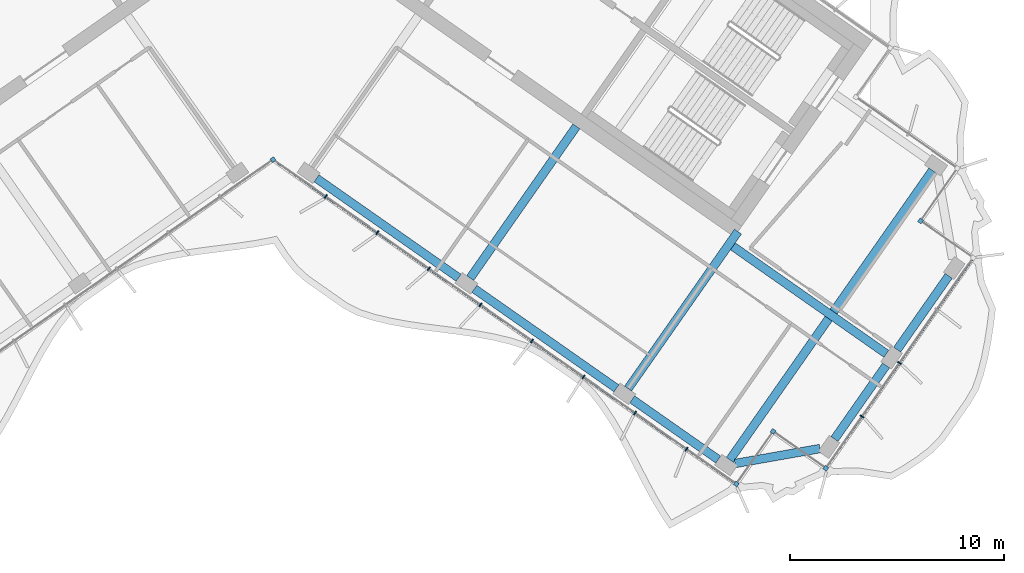
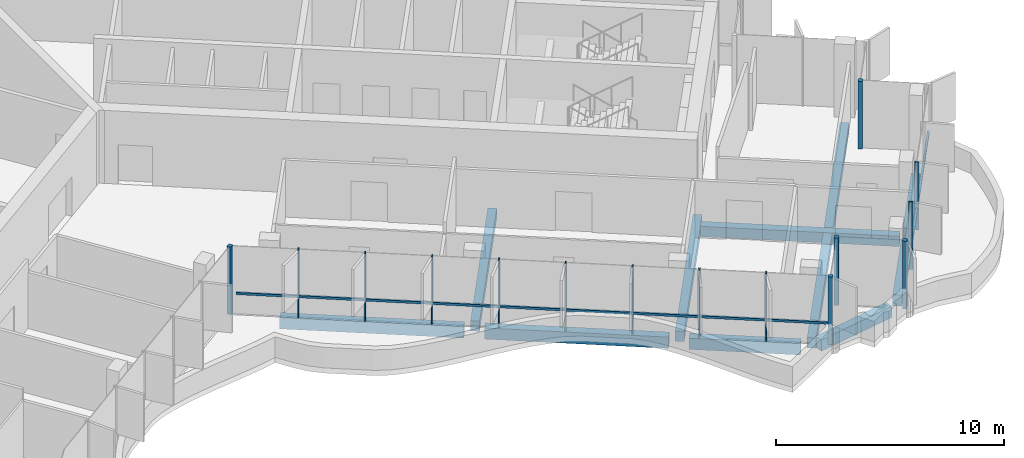
# One storey, part 4 of 20: 17 members, 10 beams, 1 element without a shape of its own.
"""IFC4 building model written with IfcOpenShell, lengths in metres."""

from ifc_helpers import new_model, si_unit, direction, frame, origin, origin_2d, place, context, subcontext, project, spatial, rectangle, extrude, material, material_profile, profile_set, type_object, element, aggregate, save


model = new_model("IFC4")

# Units and contexts
model_context = context("Model", 3, precision=1e-05, world=origin(), true_north=direction((0.0, 1.0)))
body_context = subcontext(model_context, "Body", "Model", "MODEL_VIEW")
ifc_project = project(units=[si_unit("LENGTHUNIT", "METRE"), si_unit("AREAUNIT", "SQUARE_METRE"), si_unit("VOLUMEUNIT", "CUBIC_METRE"), si_unit("PLANEANGLEUNIT", "RADIAN"), si_unit("MASSUNIT", "GRAM", prefix="KILO")], contexts=[model_context])

# Site, building, storey
site_placement = place(None, origin())
site = spatial("IfcSite", under=ifc_project, at=site_placement, CompositionType="ELEMENT")
building_placement = place(site_placement, origin())
building = spatial("IfcBuilding", under=site, at=building_placement, Name="Tel Ilan Convention Tower", CompositionType="ELEMENT")
storey_placement = place(building_placement, frame((0.0, 0.0, 233.199951171875)))
storey = spatial("IfcBuildingStorey", under=building, at=storey_placement, Name="L54", CompositionType="ELEMENT", Elevation=233.199951171875)

# Beams
ifc_material_1 = material(Name="Concrete C40/50", Category="concrete")
ifc_material_profile_1 = material_profile(ifc_material_1, rectangle(XDim=0.39990234375, YDim=0.550048828125, at=origin_2d()), Name="RC 400x550")
ifc_profile_set_1 = profile_set([ifc_material_profile_1], Name="Concrete C40/50")
beam_type_1 = type_object("IfcBeamType", Name="Beam RC 400x550 Concrete C40/50", PredefinedType="BEAM", material=ifc_profile_set_1)
beam_1_placement = place(storey_placement, frame((9.209716796875, -18.229248046875, -0.554931640625), z_axis=(0.573574099654, 0.819153680457, 0.0), x_axis=(-0.819153680457, 0.573574099654, 0.0)))
element("IfcBeam", 1, at=beam_1_placement, inside=storey, type_object=beam_type_1, Name="L54 beam E-E-F2-core", PredefinedType="BEAM", context=body_context, shape_type="SweptSolid", body=[
    extrude(rectangle(XDim=0.39990234375, YDim=0.550048828125, at=origin_2d()), origin(), (0.0, 0.0, 1.0), 8.64990234375),
])
beam_2_placement = place(storey_placement, frame((16.58203125, -23.391357421875, -0.554931640625), z_axis=(0.573584999642, 0.819146048141, 0.0), x_axis=(-0.819146048141, 0.573584999642, 0.0)))
element("IfcBeam", 2, at=beam_2_placement, inside=storey, type_object=beam_type_1, Name="L54 beam E-E-F3-core", PredefinedType="BEAM", context=body_context, shape_type="SweptSolid", body=[
    extrude(rectangle(XDim=0.39990234375, YDim=0.550048828125, at=origin_2d()), origin(), (0.0, 0.0, 1.0), 8.949951171875),
])
beam_3_placement = place(storey_placement, frame((21.477783203125, -16.748046875, -0.554931640625), z_axis=(0.819157197737, -0.573569076395, 0.0), x_axis=(0.573569076395, 0.819157197737, 0.0)))
element("IfcBeam", 3, at=beam_3_placement, inside=storey, type_object=beam_type_1, Name="L54 beam E-core-end", PredefinedType="BEAM", context=body_context, shape_type="SweptSolid", body=[
    extrude(rectangle(XDim=0.39990234375, YDim=0.550048828125, at=origin_2d()), origin(), (0.0, 0.0, 1.0), 8.75),
])
beam_4_placement = place(storey_placement, frame((21.333251953125, -26.718017578125, -0.554931640625), z_axis=(0.573574554643, 0.819153361872, 0.0), x_axis=(-0.819153361872, 0.573574554643, 0.0)))
element("IfcBeam", 4, at=beam_4_placement, inside=storey, type_object=beam_type_1, Name="L54 beam E-E-FC-E-BC", PredefinedType="BEAM", context=body_context, shape_type="SweptSolid", body=[
    extrude(rectangle(XDim=0.39990234375, YDim=0.550048828125, at=origin_2d()), origin(), (0.0, 0.0, 1.0), 16.499755859375),
])
ifc_material_2 = material(Name="Concrete C40/50", Category="concrete")
ifc_material_profile_2 = material_profile(ifc_material_2, rectangle(XDim=0.39990234375, YDim=0.60009765625, at=origin_2d()), Name="RC 400x600")
ifc_profile_set_2 = profile_set([ifc_material_profile_2], Name="Concrete C40/50")
beam_type_2 = type_object("IfcBeamType", Name="Beam RC 400x600 Concrete C40/50", PredefinedType="BEAM", material=ifc_profile_set_2)
beam_5_placement = place(storey_placement, frame((2.033935546875, -13.57080078125, -0.579833984375), z_axis=(0.81914553362, -0.573585734437, 0.0), x_axis=(0.573585734437, 0.81914553362, 0.0)))
element("IfcBeam", 5, at=beam_5_placement, inside=storey, type_object=beam_type_2, Name="L54 beam E-E-F1-E-F2", PredefinedType="BEAM", context=body_context, shape_type="SweptSolid", body=[
    extrude(rectangle(XDim=0.39990234375, YDim=0.60009765625, at=origin_2d()), origin(), (0.0, 0.0, 1.0), 8.099853515625),
])
beam_6_placement = place(storey_placement, frame((9.40625, -18.73291015625, -0.579833984375), z_axis=(0.819155449703, -0.573571572885, 0.0), x_axis=(0.573571572885, 0.819155449703, 0.0)))
element("IfcBeam", 6, at=beam_6_placement, inside=storey, type_object=beam_type_2, Name="L54 beam E-E-F2-E-F3", PredefinedType="BEAM", context=body_context, shape_type="SweptSolid", body=[
    extrude(rectangle(XDim=0.39990234375, YDim=0.60009765625, at=origin_2d()), origin(), (0.0, 0.0, 1.0), 8.10009765625),
])
beam_7_placement = place(storey_placement, frame((16.778564453125, -23.895263671875, -0.579833984375), z_axis=(0.819154669329, -0.573572687386, 0.0), x_axis=(0.573572687386, 0.819154669329, 0.0)))
element("IfcBeam", 7, at=beam_7_placement, inside=storey, type_object=beam_type_2, Name="L54 beam E-E-F3-E-FC", PredefinedType="BEAM", context=body_context, shape_type="SweptSolid", body=[
    extrude(rectangle(XDim=0.39990234375, YDim=0.60009765625, at=origin_2d()), origin(), (0.0, 0.0, 1.0), 4.900146484375),
])
beam_8_placement = place(storey_placement, frame((21.578857421875, -26.89013671875, -0.579833984375), z_axis=(0.984804894423, 0.173664388751, 0.0), x_axis=(-0.173664388751, 0.984804894423, 0.0)))
element("IfcBeam", 8, at=beam_8_placement, inside=storey, type_object=beam_type_2, Name="L54 beam E-E-FC-E-E1", PredefinedType="BEAM", context=body_context, shape_type="SweptSolid", body=[
    extrude(rectangle(XDim=0.39990234375, YDim=0.60009765625, at=origin_2d()), origin(), (0.0, 0.0, 1.0), 4.030517578125),
])
for number, where, z_axis, x_axis, name in (
    (9, (26.22412109375, -25.748046875, -0.579833984375), (0.573563773994, 0.819160910421, 0.0), (-0.819160910421, 0.573563773994, 0.0), "L54 beam E-E-E1-E-E2"),
    (10, (29.1494140625, -21.5703125, -0.579833984375), (0.573563773994, 0.819160910421, 0.0), (-0.819160910421, 0.573563773994, 0.0), "L54 beam E-E-E2-E-E3"),
):
    element("IfcBeam", number, at=place(storey_placement, frame(where, z_axis=z_axis, x_axis=x_axis)), inside=storey, type_object=beam_type_2, Name=name, PredefinedType="BEAM", context=body_context, shape_type="SweptSolid", body=[
        extrude(rectangle(XDim=0.39990234375, YDim=0.60009765625, at=origin_2d()), origin(), (0.0, 0.0, 1.0), 4.199951171875),
    ])

# Curtain wall, members
ifc_material_3 = material(Name="Aluminium, bronze anodised", Category="aluminium")
curtain_wall_type = type_object("IfcCurtainWallType", Name="CW5 STICK CURTAIN WALL, UPPER OFFICE LOW-IRON TINTED GLASS", PredefinedType="NOTDEFINED", material=ifc_material_3)
curtain_wall_placement = place(storey_placement, origin())
curtain_wall = element("IfcCurtainWall", 11, at=curtain_wall_placement, inside=storey, type_object=curtain_wall_type, Name="Curtain wall CW5-42.02", PredefinedType="NOTDEFINED")
ifc_material_4 = material(Name="Aluminium, bronze anodised", Category="aluminium")
ifc_material_profile_3 = material_profile(ifc_material_4, rectangle(XDim=0.199951171875, YDim=0.199951171875, at=origin_2d()), Name="CW CORNER MULLION 200x200")
ifc_profile_set_3 = profile_set([ifc_material_profile_3], Name="Aluminium, bronze anodised")
member_type_1 = type_object("IfcMemberType", Name="CW CORNER MULLION 200x200", PredefinedType="MULLION", material=ifc_profile_set_3)
member_1_placement = place(storey_placement, frame((0.0, -12.696044921875, 0.0), z_axis=(0.0, 0.0, 1.0), x_axis=(0.819152044289, 0.573576436351, 0.0)))
member_1 = element("IfcMember", 12, at=member_1_placement, type_object=member_type_1, Name="Corner mullion", PredefinedType="MULLION", context=body_context, shape_type="SweptSolid", body=[
    extrude(rectangle(XDim=0.199951171875, YDim=0.199951171875, at=origin_2d()), origin(), (0.0, 0.0, 1.0), 3.6201171875),
])
member_2_placement = place(storey_placement, frame((21.64013671875, -27.8486328125, 0.0), z_axis=(0.0, 0.0, 1.0), x_axis=(0.819152044289, -0.573576436351, 0.0)))
member_2 = element("IfcMember", 13, at=member_2_placement, type_object=member_type_1, Name="Corner mullion", PredefinedType="MULLION", context=body_context, shape_type="SweptSolid", body=[
    extrude(rectangle(XDim=0.199951171875, YDim=0.199951171875, at=origin_2d()), origin(), (0.0, 0.0, 1.0), 3.6201171875),
])
member_3_placement = place(storey_placement, frame((23.36083984375, -25.391357421875, 0.0), z_axis=(0.0, 0.0, 1.0), x_axis=(0.573576436351, 0.819152044289, 0.0)))
member_3 = element("IfcMember", 14, at=member_3_placement, type_object=member_type_1, Name="Corner mullion", PredefinedType="MULLION", context=body_context, shape_type="SweptSolid", body=[
    extrude(rectangle(XDim=0.199951171875, YDim=0.199951171875, at=origin_2d()), origin(), (0.0, 0.0, 1.0), 3.6201171875),
])
member_4_placement = place(storey_placement, frame((25.818359375, -27.112060546875, 0.0), z_axis=(0.0, 0.0, 1.0), x_axis=(0.819152044289, -0.573576436351, 0.0)))
member_4 = element("IfcMember", 15, at=member_4_placement, type_object=member_type_1, Name="Corner mullion", PredefinedType="MULLION", context=body_context, shape_type="SweptSolid", body=[
    extrude(rectangle(XDim=0.199951171875, YDim=0.199951171875, at=origin_2d()), origin(), (0.0, 0.0, 1.0), 3.6201171875),
])
member_5_placement = place(storey_placement, frame((30.243896484375, -15.5615234375, 0.0), z_axis=(0.0, 0.0, 1.0), x_axis=(-0.819152044289, 0.573576436351, 0.0)))
member_5 = element("IfcMember", 16, at=member_5_placement, type_object=member_type_1, Name="Corner mullion", PredefinedType="MULLION", context=body_context, shape_type="SweptSolid", body=[
    extrude(rectangle(XDim=0.199951171875, YDim=0.199951171875, at=origin_2d()), origin(), (0.0, 0.0, 1.0), 3.6201171875),
])
ifc_material_5 = material(Name="Aluminium, bronze anodised", Category="aluminium")
ifc_material_profile_4 = material_profile(ifc_material_5, rectangle(XDim=0.06005859375, YDim=0.199951171875, at=origin_2d()), Name="CW MULLION 60x200")
ifc_profile_set_4 = profile_set([ifc_material_profile_4], Name="Aluminium, bronze anodised")
member_type_2 = type_object("IfcMemberType", Name="CW MULLION 60x200", PredefinedType="MULLION", material=ifc_profile_set_4)
member_6_placement = place(storey_placement, frame((2.464599609375, -14.421875, 0.0), z_axis=(0.0, 0.0, 1.0), x_axis=(0.819152044289, -0.573576436351, 0.0)))
member_6 = element("IfcMember", 17, at=member_6_placement, type_object=member_type_2, Name="Mullion", PredefinedType="MULLION", context=body_context, shape_type="SweptSolid", body=[
    extrude(rectangle(XDim=0.06005859375, YDim=0.199951171875, at=origin_2d()), origin(), (0.0, 0.0, 1.0), 3.6201171875),
])
member_7_placement = place(storey_placement, frame((4.871826171875, -16.107177734375, 0.0), z_axis=(0.0, 0.0, 1.0), x_axis=(0.819152044289, -0.573576436351, 0.0)))
member_7 = element("IfcMember", 18, at=member_7_placement, type_object=member_type_2, Name="Mullion", PredefinedType="MULLION", context=body_context, shape_type="SweptSolid", body=[
    extrude(rectangle(XDim=0.06005859375, YDim=0.199951171875, at=origin_2d()), origin(), (0.0, 0.0, 1.0), 3.6201171875),
])
member_8_placement = place(storey_placement, frame((7.279052734375, -17.792724609375, 0.0), z_axis=(0.0, 0.0, 1.0), x_axis=(0.819152044289, -0.573576436351, 0.0)))
member_8 = element("IfcMember", 19, at=member_8_placement, type_object=member_type_2, Name="Mullion", PredefinedType="MULLION", context=body_context, shape_type="SweptSolid", body=[
    extrude(rectangle(XDim=0.06005859375, YDim=0.199951171875, at=origin_2d()), origin(), (0.0, 0.0, 1.0), 3.6201171875),
])
member_9_placement = place(storey_placement, frame((9.68603515625, -19.478271484375, 0.0), z_axis=(0.0, 0.0, 1.0), x_axis=(0.819152044289, -0.573576436351, 0.0)))
member_9 = element("IfcMember", 20, at=member_9_placement, type_object=member_type_2, Name="Mullion", PredefinedType="MULLION", context=body_context, shape_type="SweptSolid", body=[
    extrude(rectangle(XDim=0.06005859375, YDim=0.199951171875, at=origin_2d()), origin(), (0.0, 0.0, 1.0), 3.6201171875),
])
member_10_placement = place(storey_placement, frame((12.09326171875, -21.163818359375, 0.0), z_axis=(0.0, 0.0, 1.0), x_axis=(0.819152044289, -0.573576436351, 0.0)))
member_10 = element("IfcMember", 21, at=member_10_placement, type_object=member_type_2, Name="Mullion", PredefinedType="MULLION", context=body_context, shape_type="SweptSolid", body=[
    extrude(rectangle(XDim=0.06005859375, YDim=0.199951171875, at=origin_2d()), origin(), (0.0, 0.0, 1.0), 3.6201171875),
])
member_11_placement = place(storey_placement, frame((14.50048828125, -22.849365234375, 0.0), z_axis=(0.0, 0.0, 1.0), x_axis=(0.819152044289, -0.573576436351, 0.0)))
member_11 = element("IfcMember", 22, at=member_11_placement, type_object=member_type_2, Name="Mullion", PredefinedType="MULLION", context=body_context, shape_type="SweptSolid", body=[
    extrude(rectangle(XDim=0.06005859375, YDim=0.199951171875, at=origin_2d()), origin(), (0.0, 0.0, 1.0), 3.6201171875),
])
member_12_placement = place(storey_placement, frame((16.90771484375, -24.534912109375, 0.0), z_axis=(0.0, 0.0, 1.0), x_axis=(0.819152044289, -0.573576436351, 0.0)))
member_12 = element("IfcMember", 23, at=member_12_placement, type_object=member_type_2, Name="Mullion", PredefinedType="MULLION", context=body_context, shape_type="SweptSolid", body=[
    extrude(rectangle(XDim=0.06005859375, YDim=0.199951171875, at=origin_2d()), origin(), (0.0, 0.0, 1.0), 3.6201171875),
])
member_13_placement = place(storey_placement, frame((19.31494140625, -26.220458984375, 0.0), z_axis=(0.0, 0.0, 1.0), x_axis=(0.819152044289, -0.573576436351, 0.0)))
member_13 = element("IfcMember", 24, at=member_13_placement, type_object=member_type_2, Name="Mullion", PredefinedType="MULLION", context=body_context, shape_type="SweptSolid", body=[
    extrude(rectangle(XDim=0.06005859375, YDim=0.199951171875, at=origin_2d()), origin(), (0.0, 0.0, 1.0), 3.6201171875),
])
member_14_placement = place(storey_placement, frame((27.510498046875, -24.695556640625, 0.0), z_axis=(0.0, 0.0, 1.0), x_axis=(0.573576436351, 0.819152044289, 0.0)))
member_14 = element("IfcMember", 25, at=member_14_placement, type_object=member_type_2, Name="Mullion", PredefinedType="MULLION", context=body_context, shape_type="SweptSolid", body=[
    extrude(rectangle(XDim=0.06005859375, YDim=0.199951171875, at=origin_2d()), origin(), (0.0, 0.0, 1.0), 3.6201171875),
])
member_15_placement = place(storey_placement, frame((29.259765625, -22.197021484375, 0.0), z_axis=(0.0, 0.0, 1.0), x_axis=(0.573576436351, 0.819152044289, 0.0)))
member_15 = element("IfcMember", 26, at=member_15_placement, type_object=member_type_2, Name="Mullion", PredefinedType="MULLION", context=body_context, shape_type="SweptSolid", body=[
    extrude(rectangle(XDim=0.06005859375, YDim=0.199951171875, at=origin_2d()), origin(), (0.0, 0.0, 1.0), 3.6201171875),
])
ifc_material_6 = material(Name="Aluminium, bronze anodised", Category="aluminium")
ifc_material_profile_5 = material_profile(ifc_material_6, rectangle(XDim=0.10009765625, YDim=0.1201171875, at=origin_2d()), Name="CW TRANSOM 100x120")
ifc_profile_set_5 = profile_set([ifc_material_profile_5], Name="Aluminium, bronze anodised")
member_type_3 = type_object("IfcMemberType", Name="CW TRANSOM 100x120", PredefinedType="USERDEFINED", material=ifc_profile_set_5)
member_16_placement = place(storey_placement, frame((0.22119140625, -12.850830078125, 1.10009765625), z_axis=(0.819152212587, -0.573576195996, 0.0), x_axis=(0.573576195996, 0.819152212587, 0.0)))
member_16 = element("IfcMember", 27, at=member_16_placement, type_object=member_type_3, Name="Transom", ObjectType="TRANSOM", PredefinedType="USERDEFINED", context=body_context, shape_type="SweptSolid", body=[
    extrude(rectangle(XDim=0.10009765625, YDim=0.1201171875, at=origin_2d()), origin(), (0.0, 0.0, 1.0), 26.0478515625),
])
member_17_placement = place(storey_placement, frame((25.875732421875, -27.030029296875, 1.10009765625), z_axis=(0.573581755582, 0.819148319698, 0.0), x_axis=(-0.819148319698, 0.573581755582, 0.0)))
member_17 = element("IfcMember", 28, at=member_17_placement, type_object=member_type_3, Name="Transom", ObjectType="TRANSOM", PredefinedType="USERDEFINED", context=body_context, shape_type="SweptSolid", body=[
    extrude(rectangle(XDim=0.10009765625, YDim=0.1201171875, at=origin_2d()), origin(), (0.0, 0.0, 1.0), 11.800048828125),
])
aggregate(curtain_wall, [member_1, member_6, member_7, member_8, member_9, member_10, member_11, member_12, member_13, member_2, member_16, member_3, member_4, member_14, member_15, member_17, member_5])

save(model, "model.ifc")
